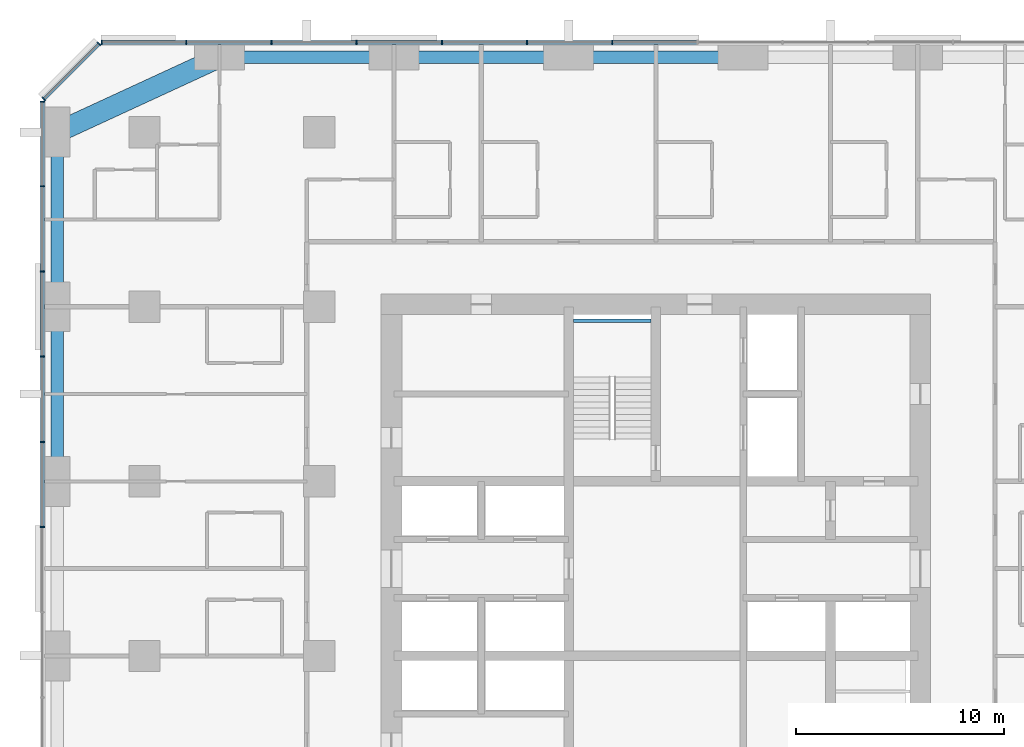
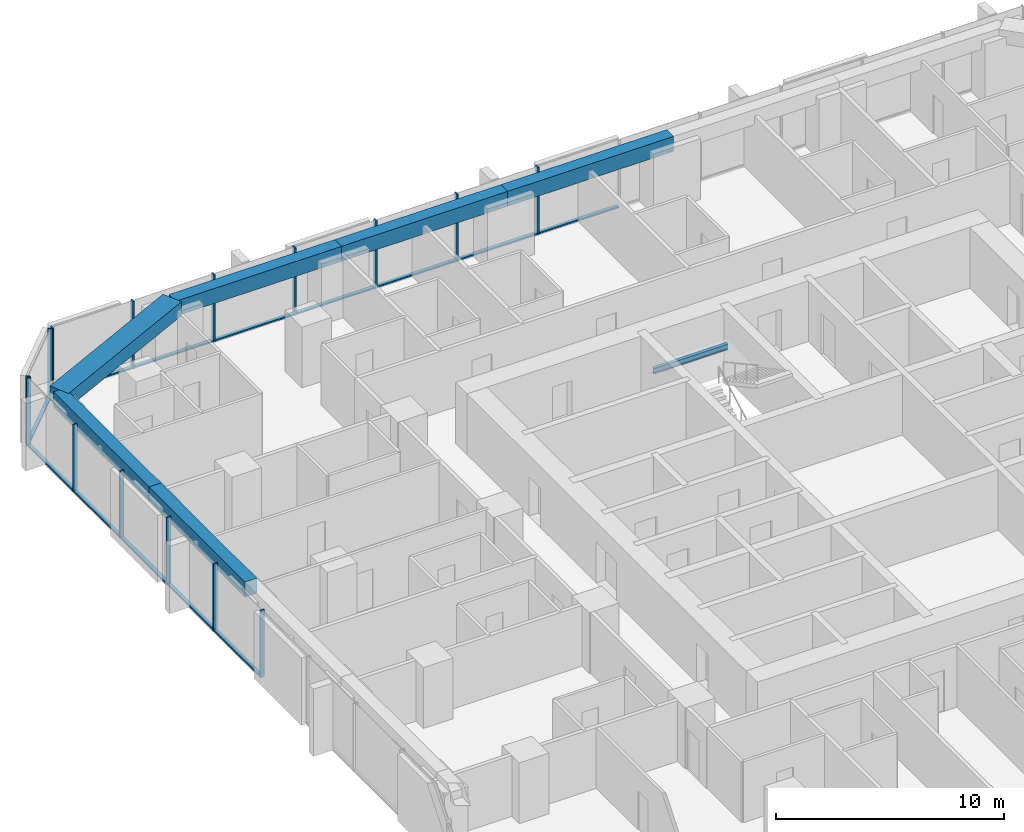
# One storey, part 5 of 14: 28 members, 7 beams, 3 elements without a shape of their own.
"""IFC4 building model written with IfcOpenShell, lengths in metres."""

from ifc_helpers import new_model, si_unit, direction, frame, origin, origin_2d, place, context, subcontext, project, spatial, rectangle, i_section, extrude, material, material_profile, profile_set, type_object, element, aggregate, save


model = new_model("IFC4")

# Units and contexts
model_context = context("Model", 3, precision=1e-05, world=origin(), true_north=direction((0.0, 1.0)))
body_context = subcontext(model_context, "Body", "Model", "MODEL_VIEW")
ifc_project = project(units=[si_unit("LENGTHUNIT", "METRE"), si_unit("AREAUNIT", "SQUARE_METRE"), si_unit("VOLUMEUNIT", "CUBIC_METRE"), si_unit("PLANEANGLEUNIT", "RADIAN"), si_unit("MASSUNIT", "GRAM", prefix="KILO")], contexts=[model_context])

# Site, building, storey
site_placement = place(None, origin())
site = spatial("IfcSite", under=ifc_project, at=site_placement, CompositionType="ELEMENT")
building_placement = place(site_placement, origin())
building = spatial("IfcBuilding", under=site, at=building_placement, Name="Dunama Terrace Hotel", CompositionType="ELEMENT")
storey_placement = place(building_placement, frame((0.0, 0.0, 133.199951171875)))
storey = spatial("IfcBuildingStorey", under=building, at=storey_placement, Name="L34", CompositionType="ELEMENT", Elevation=133.199951171875)

# Curtain wall, members
ifc_material_1 = material(Name="Aluminium curtain wall system", Category="aluminium")
curtain_wall_type = type_object("IfcCurtainWallType", Name="Unitised fritted glass wall CW-B", PredefinedType="NOTDEFINED", material=ifc_material_1)
curtain_wall_1_placement = place(storey_placement, origin())
curtain_wall_1 = element("IfcCurtainWall", 1, at=curtain_wall_1_placement, inside=storey, type_object=curtain_wall_type, Name="Unitised fritted glass wall CW-B L34", PredefinedType="NOTDEFINED")
ifc_material_2 = material(Name="Aluminium mullion", Category="aluminium")
ifc_material_profile_1 = material_profile(ifc_material_2, rectangle(XDim=0.06494140625, YDim=0.219970703125, at=origin_2d()), Name="CWB MULLION 65X220")
ifc_profile_set_1 = profile_set([ifc_material_profile_1], Name="Aluminium mullion")
member_type_1 = type_object("IfcMemberType", Name="CWB mullion 65x220", PredefinedType="MULLION", material=ifc_profile_set_1)
member_1_placement = place(storey_placement, frame((27.300048828125, 54.7099609375, 0.0), z_axis=(0.0, 0.0, 1.0), x_axis=(-1.0, 0.0, 0.0)))
member_1 = element("IfcMember", 2, at=member_1_placement, type_object=member_type_1, Name="CWB mullion", PredefinedType="MULLION", context=body_context, shape_type="SweptSolid", body=[
    extrude(rectangle(XDim=0.06494140625, YDim=0.219970703125, at=origin_2d()), origin(), (0.0, 0.0, 1.0), 3.60009765625),
])
member_2_placement = place(storey_placement, frame((23.199951171875, 54.7099609375, 0.0), z_axis=(0.0, 0.0, 1.0), x_axis=(-1.0, 0.0, 0.0)))
member_2 = element("IfcMember", 3, at=member_2_placement, type_object=member_type_1, Name="CWB mullion", PredefinedType="MULLION", context=body_context, shape_type="SweptSolid", body=[
    extrude(rectangle(XDim=0.06494140625, YDim=0.219970703125, at=origin_2d()), origin(), (0.0, 0.0, 1.0), 3.60009765625),
])
member_3_placement = place(storey_placement, frame((19.10009765625, 54.7099609375, 0.0), z_axis=(0.0, 0.0, 1.0), x_axis=(-1.0, 0.0, 0.0)))
member_3 = element("IfcMember", 4, at=member_3_placement, type_object=member_type_1, Name="CWB mullion", PredefinedType="MULLION", context=body_context, shape_type="SweptSolid", body=[
    extrude(rectangle(XDim=0.06494140625, YDim=0.219970703125, at=origin_2d()), origin(), (0.0, 0.0, 1.0), 3.60009765625),
])
member_4_placement = place(storey_placement, frame((15.0, 54.7099609375, 0.0), z_axis=(0.0, 0.0, 1.0), x_axis=(-1.0, 0.0, 0.0)))
member_4 = element("IfcMember", 5, at=member_4_placement, type_object=member_type_1, Name="CWB mullion", PredefinedType="MULLION", context=body_context, shape_type="SweptSolid", body=[
    extrude(rectangle(XDim=0.06494140625, YDim=0.219970703125, at=origin_2d()), origin(), (0.0, 0.0, 1.0), 3.60009765625),
])
member_5_placement = place(storey_placement, frame((10.89990234375, 54.7099609375, 0.0), z_axis=(0.0, 0.0, 1.0), x_axis=(-1.0, 0.0, 0.0)))
member_5 = element("IfcMember", 6, at=member_5_placement, type_object=member_type_1, Name="CWB mullion", PredefinedType="MULLION", context=body_context, shape_type="SweptSolid", body=[
    extrude(rectangle(XDim=0.06494140625, YDim=0.219970703125, at=origin_2d()), origin(), (0.0, 0.0, 1.0), 3.60009765625),
])
member_6_placement = place(storey_placement, frame((6.800048828125, 54.7099609375, 0.0), z_axis=(0.0, 0.0, 1.0), x_axis=(-1.0, 0.0, 0.0)))
member_6 = element("IfcMember", 7, at=member_6_placement, type_object=member_type_1, Name="CWB mullion", PredefinedType="MULLION", context=body_context, shape_type="SweptSolid", body=[
    extrude(rectangle(XDim=0.06494140625, YDim=0.219970703125, at=origin_2d()), origin(), (0.0, 0.0, 1.0), 3.60009765625),
])
member_7_placement = place(storey_placement, frame((2.73291015625, 54.7099609375, 0.0), z_axis=(0.0, 0.0, 1.0), x_axis=(-1.0, 0.0, 0.0)))
member_7 = element("IfcMember", 8, at=member_7_placement, type_object=member_type_1, Name="CWB mullion", PredefinedType="MULLION", context=body_context, shape_type="SweptSolid", body=[
    extrude(rectangle(XDim=0.06494140625, YDim=0.219970703125, at=origin_2d()), origin(), (0.0, 0.0, 1.0), 3.60009765625),
])

curtain_wall_2_placement = place(storey_placement, origin())
curtain_wall_2 = element("IfcCurtainWall", 9, at=curtain_wall_2_placement, inside=storey, type_object=curtain_wall_type, Name="Unitised fritted glass wall CW-B L34", PredefinedType="NOTDEFINED")
member_8_placement = place(storey_placement, frame((2.59912109375, 54.655029296875, 0.0), z_axis=(0.0, 0.0, 1.0), x_axis=(-0.707106781187, -0.707106781187, 0.0)))
member_8 = element("IfcMember", 10, at=member_8_placement, type_object=member_type_1, Name="CWB mullion", PredefinedType="MULLION", context=body_context, shape_type="SweptSolid", body=[
    extrude(rectangle(XDim=0.06494140625, YDim=0.219970703125, at=origin_2d()), origin(), (0.0, 0.0, 1.0), 3.60009765625),
])
member_9_placement = place(storey_placement, frame((-0.054931640625, 52.0009765625, 0.0), z_axis=(0.0, 0.0, 1.0), x_axis=(-0.707106781187, -0.707106781187, 0.0)))
member_9 = element("IfcMember", 11, at=member_9_placement, type_object=member_type_1, Name="CWB mullion", PredefinedType="MULLION", context=body_context, shape_type="SweptSolid", body=[
    extrude(rectangle(XDim=0.06494140625, YDim=0.219970703125, at=origin_2d()), origin(), (0.0, 0.0, 1.0), 3.60009765625),
])

curtain_wall_3_placement = place(storey_placement, origin())
curtain_wall_3 = element("IfcCurtainWall", 12, at=curtain_wall_3_placement, inside=storey, type_object=curtain_wall_type, Name="Unitised fritted glass wall CW-B L34", PredefinedType="NOTDEFINED")
member_10_placement = place(storey_placement, frame((-0.110107421875, 51.866943359375, 0.0), z_axis=(0.0, 0.0, 1.0), x_axis=(0.0, -1.0, 0.0)))
member_10 = element("IfcMember", 13, at=member_10_placement, type_object=member_type_1, Name="CWB mullion", PredefinedType="MULLION", context=body_context, shape_type="SweptSolid", body=[
    extrude(rectangle(XDim=0.06494140625, YDim=0.219970703125, at=origin_2d()), origin(), (0.0, 0.0, 1.0), 3.60009765625),
])
member_11_placement = place(storey_placement, frame((-0.110107421875, 47.800048828125, 0.0), z_axis=(0.0, 0.0, 1.0), x_axis=(0.0, -1.0, 0.0)))
member_11 = element("IfcMember", 14, at=member_11_placement, type_object=member_type_1, Name="CWB mullion", PredefinedType="MULLION", context=body_context, shape_type="SweptSolid", body=[
    extrude(rectangle(XDim=0.06494140625, YDim=0.219970703125, at=origin_2d()), origin(), (0.0, 0.0, 1.0), 3.60009765625),
])
member_12_placement = place(storey_placement, frame((-0.110107421875, 43.699951171875, 0.0), z_axis=(0.0, 0.0, 1.0), x_axis=(0.0, -1.0, 0.0)))
member_12 = element("IfcMember", 15, at=member_12_placement, type_object=member_type_1, Name="CWB mullion", PredefinedType="MULLION", context=body_context, shape_type="SweptSolid", body=[
    extrude(rectangle(XDim=0.06494140625, YDim=0.219970703125, at=origin_2d()), origin(), (0.0, 0.0, 1.0), 3.60009765625),
])
member_13_placement = place(storey_placement, frame((-0.110107421875, 39.60009765625, 0.0), z_axis=(0.0, 0.0, 1.0), x_axis=(0.0, -1.0, 0.0)))
member_13 = element("IfcMember", 16, at=member_13_placement, type_object=member_type_1, Name="CWB mullion", PredefinedType="MULLION", context=body_context, shape_type="SweptSolid", body=[
    extrude(rectangle(XDim=0.06494140625, YDim=0.219970703125, at=origin_2d()), origin(), (0.0, 0.0, 1.0), 3.60009765625),
])
member_14_placement = place(storey_placement, frame((-0.110107421875, 35.5, 0.0), z_axis=(0.0, 0.0, 1.0), x_axis=(0.0, -1.0, 0.0)))
member_14 = element("IfcMember", 17, at=member_14_placement, type_object=member_type_1, Name="CWB mullion", PredefinedType="MULLION", context=body_context, shape_type="SweptSolid", body=[
    extrude(rectangle(XDim=0.06494140625, YDim=0.219970703125, at=origin_2d()), origin(), (0.0, 0.0, 1.0), 3.60009765625),
])
member_15_placement = place(storey_placement, frame((-0.110107421875, 31.39990234375, 0.0), z_axis=(0.0, 0.0, 1.0), x_axis=(0.0, -1.0, 0.0)))
member_15 = element("IfcMember", 18, at=member_15_placement, type_object=member_type_1, Name="CWB mullion", PredefinedType="MULLION", context=body_context, shape_type="SweptSolid", body=[
    extrude(rectangle(XDim=0.06494140625, YDim=0.219970703125, at=origin_2d()), origin(), (0.0, 0.0, 1.0), 3.60009765625),
])

# Member
ifc_material_3 = material(Name="Aluminium transom", Category="aluminium")
ifc_material_profile_2 = material_profile(ifc_material_3, rectangle(XDim=0.179931640625, YDim=0.080078125, at=origin_2d()), Name="CWB TRANSOM 180X80")
ifc_profile_set_2 = profile_set([ifc_material_profile_2], Name="Aluminium transom")
member_type_2 = type_object("IfcMemberType", Name="CWB transom 180x80", PredefinedType="USERDEFINED", material=ifc_profile_set_2)
member_16_placement = place(storey_placement, frame((31.366943359375, 54.7099609375, 0.0400390625), z_axis=(-1.0, 0.0, 0.0), x_axis=(0.0, -1.0, 0.0)))
member_16 = element("IfcMember", 19, at=member_16_placement, type_object=member_type_2, Name="CWB transom", ObjectType="TRANSOM", PredefinedType="USERDEFINED", context=body_context, shape_type="SweptSolid", body=[
    extrude(rectangle(XDim=0.179931640625, YDim=0.080078125, at=origin_2d()), origin(), (0.0, 0.0, 1.0), 4.034912109375),
])

member_17_placement = place(storey_placement, frame((27.26806640625, 54.7099609375, 0.0400390625), z_axis=(-1.0, 0.0, 0.0), x_axis=(0.0, -1.0, 0.0)))
member_17 = element("IfcMember", 20, at=member_17_placement, type_object=member_type_2, Name="CWB transom", ObjectType="TRANSOM", PredefinedType="USERDEFINED", context=body_context, shape_type="SweptSolid", body=[
    extrude(rectangle(XDim=0.179931640625, YDim=0.080078125, at=origin_2d()), origin(), (0.0, 0.0, 1.0), 4.03515625),
])

member_18_placement = place(storey_placement, frame((23.16796875, 54.7099609375, 0.0400390625), z_axis=(-1.0, 0.0, 0.0), x_axis=(0.0, -1.0, 0.0)))
member_18 = element("IfcMember", 21, at=member_18_placement, type_object=member_type_2, Name="CWB transom", ObjectType="TRANSOM", PredefinedType="USERDEFINED", context=body_context, shape_type="SweptSolid", body=[
    extrude(rectangle(XDim=0.179931640625, YDim=0.080078125, at=origin_2d()), origin(), (0.0, 0.0, 1.0), 4.034912109375),
])

member_19_placement = place(storey_placement, frame((19.068115234375, 54.7099609375, 0.0400390625), z_axis=(-1.0, 0.0, 0.0), x_axis=(0.0, -1.0, 0.0)))
member_19 = element("IfcMember", 22, at=member_19_placement, type_object=member_type_2, Name="CWB transom", ObjectType="TRANSOM", PredefinedType="USERDEFINED", context=body_context, shape_type="SweptSolid", body=[
    extrude(rectangle(XDim=0.179931640625, YDim=0.080078125, at=origin_2d()), origin(), (0.0, 0.0, 1.0), 4.0361328125),
])

member_20_placement = place(storey_placement, frame((14.968017578125, 54.7099609375, 0.0400390625), z_axis=(-1.0, 0.0, 0.0), x_axis=(0.0, -1.0, 0.0)))
member_20 = element("IfcMember", 23, at=member_20_placement, type_object=member_type_2, Name="CWB transom", ObjectType="TRANSOM", PredefinedType="USERDEFINED", context=body_context, shape_type="SweptSolid", body=[
    extrude(rectangle(XDim=0.179931640625, YDim=0.080078125, at=origin_2d()), origin(), (0.0, 0.0, 1.0), 4.0361328125),
])

member_21_placement = place(storey_placement, frame((10.866943359375, 54.7099609375, 0.0400390625), z_axis=(-1.0, 0.0, 0.0), x_axis=(0.0, -1.0, 0.0)))
member_21 = element("IfcMember", 24, at=member_21_placement, type_object=member_type_2, Name="CWB transom", ObjectType="TRANSOM", PredefinedType="USERDEFINED", context=body_context, shape_type="SweptSolid", body=[
    extrude(rectangle(XDim=0.179931640625, YDim=0.080078125, at=origin_2d()), origin(), (0.0, 0.0, 1.0), 4.033935546875),
])

member_22_placement = place(storey_placement, frame((6.76806640625, 54.7099609375, 0.0400390625), z_axis=(-1.0, 0.0, 0.0), x_axis=(0.0, -1.0, 0.0)))
member_22 = element("IfcMember", 25, at=member_22_placement, type_object=member_type_2, Name="CWB transom", ObjectType="TRANSOM", PredefinedType="USERDEFINED", context=body_context, shape_type="SweptSolid", body=[
    extrude(rectangle(XDim=0.179931640625, YDim=0.080078125, at=origin_2d()), origin(), (0.0, 0.0, 1.0), 4.003173828125),
])

aggregate(curtain_wall_1, [member_1, member_2, member_3, member_4, member_5, member_6, member_7, member_16, member_17, member_18, member_19, member_20, member_21, member_22])

member_23_placement = place(storey_placement, frame((2.575927734375, 54.632080078125, 0.0400390625), z_axis=(-0.707073683909, -0.707139876915, 0.0), x_axis=(0.707139876915, -0.707073683909, 0.0)))
member_23 = element("IfcMember", 26, at=member_23_placement, type_object=member_type_2, Name="CWB transom", ObjectType="TRANSOM", PredefinedType="USERDEFINED", context=body_context, shape_type="SweptSolid", body=[
    extrude(rectangle(XDim=0.179931640625, YDim=0.080078125, at=origin_2d()), origin(), (0.0, 0.0, 1.0), 3.688232421875),
])

aggregate(curtain_wall_2, [member_8, member_9, member_23])

member_24_placement = place(storey_placement, frame((-0.110107421875, 51.8349609375, 0.0400390625), z_axis=(0.0, -1.0, 0.0), x_axis=(1.0, 0.0, 0.0)))
member_24 = element("IfcMember", 27, at=member_24_placement, type_object=member_type_2, Name="CWB transom", ObjectType="TRANSOM", PredefinedType="USERDEFINED", context=body_context, shape_type="SweptSolid", body=[
    extrude(rectangle(XDim=0.179931640625, YDim=0.080078125, at=origin_2d()), origin(), (0.0, 0.0, 1.0), 4.0029296875),
])

member_25_placement = place(storey_placement, frame((-0.110107421875, 47.76708984375, 0.0400390625), z_axis=(0.0, -1.0, 0.0), x_axis=(1.0, 0.0, 0.0)))
member_25 = element("IfcMember", 28, at=member_25_placement, type_object=member_type_2, Name="CWB transom", ObjectType="TRANSOM", PredefinedType="USERDEFINED", context=body_context, shape_type="SweptSolid", body=[
    extrude(rectangle(XDim=0.179931640625, YDim=0.080078125, at=origin_2d()), origin(), (0.0, 0.0, 1.0), 4.0341796875),
])

member_26_placement = place(storey_placement, frame((-0.110107421875, 43.6669921875, 0.0400390625), z_axis=(0.0, -1.0, 0.0), x_axis=(1.0, 0.0, 0.0)))
member_26 = element("IfcMember", 29, at=member_26_placement, type_object=member_type_2, Name="CWB transom", ObjectType="TRANSOM", PredefinedType="USERDEFINED", context=body_context, shape_type="SweptSolid", body=[
    extrude(rectangle(XDim=0.179931640625, YDim=0.080078125, at=origin_2d()), origin(), (0.0, 0.0, 1.0), 4.033935546875),
])

member_27_placement = place(storey_placement, frame((-0.110107421875, 39.56689453125, 0.0400390625), z_axis=(0.0, -1.0, 0.0), x_axis=(1.0, 0.0, 0.0)))
member_27 = element("IfcMember", 30, at=member_27_placement, type_object=member_type_2, Name="CWB transom", ObjectType="TRANSOM", PredefinedType="USERDEFINED", context=body_context, shape_type="SweptSolid", body=[
    extrude(rectangle(XDim=0.179931640625, YDim=0.080078125, at=origin_2d()), origin(), (0.0, 0.0, 1.0), 4.034912109375),
])

member_28_placement = place(storey_placement, frame((-0.110107421875, 35.468017578125, 0.0400390625), z_axis=(0.0, -1.0, 0.0), x_axis=(1.0, 0.0, 0.0)))
member_28 = element("IfcMember", 31, at=member_28_placement, type_object=member_type_2, Name="CWB transom", ObjectType="TRANSOM", PredefinedType="USERDEFINED", context=body_context, shape_type="SweptSolid", body=[
    extrude(rectangle(XDim=0.179931640625, YDim=0.080078125, at=origin_2d()), origin(), (0.0, 0.0, 1.0), 4.0361328125),
])

aggregate(curtain_wall_3, [member_10, member_11, member_12, member_13, member_14, member_15, member_24, member_25, member_26, member_27, member_28])

# Beams
ifc_material_4 = material(Name="Concrete C50/60", Category="concrete")
ifc_material_profile_3 = material_profile(ifc_material_4, rectangle(XDim=1.0, YDim=0.75, at=origin_2d()), Name="RC 1000x750")
ifc_profile_set_3 = profile_set([ifc_material_profile_3], Name="Concrete C50/60")
beam_type_1 = type_object("IfcBeamType", Name="Edge beam RC 1000x750", PredefinedType="SPANDREL", material=ifc_profile_set_3)
beam_1_placement = place(storey_placement, frame((8.39990234375, 54.0, 3.22509765625), z_axis=(-0.907951066374, -0.419076199598, 0.0), x_axis=(0.419076199598, -0.907951066374, 0.0)))
element("IfcBeam", 32, at=beam_1_placement, inside=storey, type_object=beam_type_1, Name="Corner edge beam under L35", PredefinedType="SPANDREL", context=body_context, shape_type="SweptSolid", body=[
    extrude(rectangle(XDim=1.0, YDim=0.75, at=origin_2d()), origin(), (0.0, 0.0, 1.0), 8.590576171875),
])
ifc_material_5 = material(Name="Concrete C40/50", Category="concrete")
ifc_material_profile_4 = material_profile(ifc_material_5, rectangle(XDim=0.60009765625, YDim=0.800048828125, at=origin_2d()), Name="RC 600x800")
ifc_profile_set_4 = profile_set([ifc_material_profile_4], Name="Concrete C40/50")
beam_type_2 = type_object("IfcBeamType", Name="Edge beam RC 600x800", PredefinedType="SPANDREL", material=ifc_profile_set_4)
for number, where, z_axis, x_axis, name in (
    (33, (0.60009765625, 33.60009765625, 3.199951171875), (0.0, 1.0, 0.0), (-1.0, 0.0, 0.0), "Edge beam under L35"),
    (34, (0.60009765625, 42.0, 3.199951171875), (0.0, 1.0, 0.0), (-1.0, 0.0, 0.0), "Edge beam under L35"),
):
    element("IfcBeam", number, at=place(storey_placement, frame(where, z_axis=z_axis, x_axis=x_axis)), inside=storey, type_object=beam_type_2, Name=name, PredefinedType="SPANDREL", context=body_context, shape_type="SweptSolid", body=[
        extrude(rectangle(XDim=0.60009765625, YDim=0.800048828125, at=origin_2d()), origin(), (0.0, 0.0, 1.0), 8.39990234375),
    ])
beam_2_placement = place(storey_placement, frame((8.39990234375, 54.0, 3.199951171875), z_axis=(1.0, 0.0, 0.0), x_axis=(0.0, 1.0, 0.0)))
element("IfcBeam", 35, at=beam_2_placement, inside=storey, type_object=beam_type_2, Name="Edge beam under L35", PredefinedType="SPANDREL", context=body_context, shape_type="SweptSolid", body=[
    extrude(rectangle(XDim=0.60009765625, YDim=0.800048828125, at=origin_2d()), origin(), (0.0, 0.0, 1.0), 8.400146484375),
])
beam_3_placement = place(storey_placement, frame((16.800048828125, 54.0, 3.199951171875), z_axis=(1.0, 0.0, 0.0), x_axis=(0.0, 1.0, 0.0)))
element("IfcBeam", 36, at=beam_3_placement, inside=storey, type_object=beam_type_2, Name="Edge beam under L35", PredefinedType="SPANDREL", context=body_context, shape_type="SweptSolid", body=[
    extrude(rectangle(XDim=0.60009765625, YDim=0.800048828125, at=origin_2d()), origin(), (0.0, 0.0, 1.0), 8.39990234375),
])
beam_4_placement = place(storey_placement, frame((25.199951171875, 54.0, 3.199951171875), z_axis=(1.0, 0.0, 0.0), x_axis=(0.0, 1.0, 0.0)))
element("IfcBeam", 37, at=beam_4_placement, inside=storey, type_object=beam_type_2, Name="Edge beam under L35", PredefinedType="SPANDREL", context=body_context, shape_type="SweptSolid", body=[
    extrude(rectangle(XDim=0.60009765625, YDim=0.800048828125, at=origin_2d()), origin(), (0.0, 0.0, 1.0), 8.400146484375),
])
ifc_material_6 = material(Name="Steel S355", Category="steel")
ifc_material_profile_5 = material_profile(ifc_material_6, i_section(OverallWidth=0.1650390625, OverallDepth=0.303466796875, WebThickness=0.006103515625, FlangeThickness=0.01025390625, FilletRadius=0.0087890625, at=origin_2d()), Name="UB 305x165x40")
ifc_profile_set_5 = profile_set([ifc_material_profile_5], Name="Steel S355")
beam_type_3 = type_object("IfcBeamType", Name="Stair beam UB 305x165x40", PredefinedType="BEAM", material=ifc_profile_set_5)
beam_5_placement = place(storey_placement, frame((25.425048828125, 41.3173828125, 1.4482421875), z_axis=(1.0, 0.0, 0.0), x_axis=(0.0, 1.0, 0.0)))
element("IfcBeam", 38, at=beam_5_placement, inside=storey, type_object=beam_type_3, Name="Stair landing beam ST1 L34", PredefinedType="BEAM", context=body_context, shape_type="SweptSolid", body=[
    extrude(i_section(OverallWidth=0.1650390625, OverallDepth=0.303466796875, WebThickness=0.006103515625, FlangeThickness=0.01025390625, FilletRadius=0.0087890625, at=origin_2d()), origin(), (0.0, 0.0, 1.0), 3.75),
])

save(model, "model.ifc")
